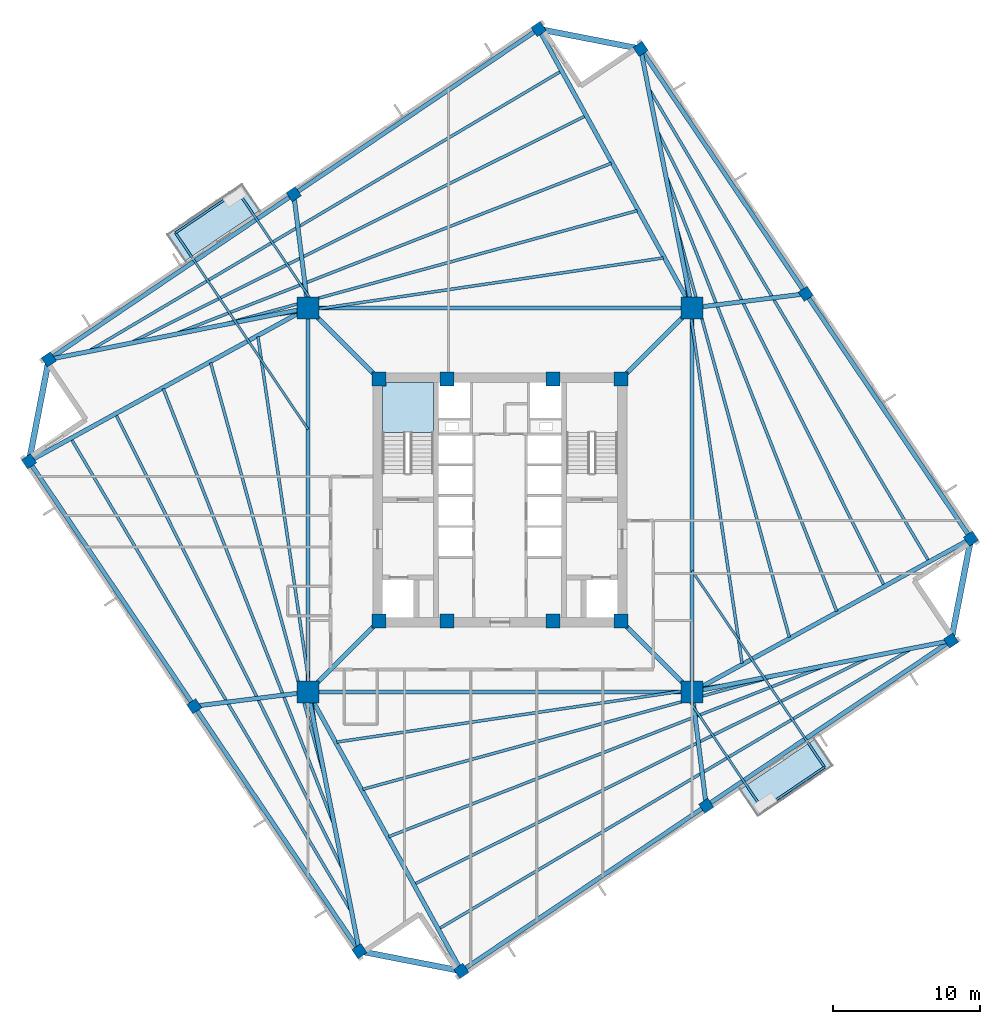
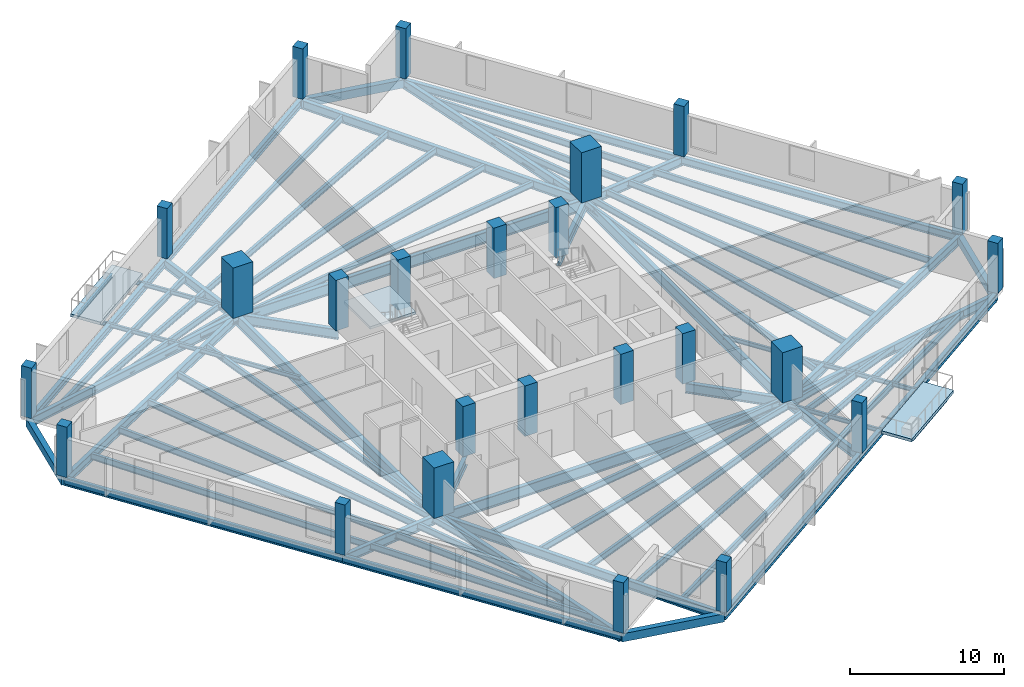
# One storey, part 1 of 9: 58 beams, 24 columns, 3 slabs, 1 element without a shape of its own.
"""IFC4 building model written with IfcOpenShell, lengths in metres."""

from ifc_helpers import new_model, si_unit, direction, frame, origin, origin_2d, place, context, subcontext, project, spatial, polyline, rectangle, i_section, outline, extrude, source, transform, mapped, material, layer, layer_set, material_profile, profile_set, type_object, element, aggregate, save


model = new_model("IFC4")

# Units and contexts
model_context = context("Model", 3, precision=1e-05, world=origin(), true_north=direction((0.0, 1.0)))
body_context = subcontext(model_context, "Body", "Model", "MODEL_VIEW")
ifc_project = project(units=[si_unit("LENGTHUNIT", "METRE"), si_unit("AREAUNIT", "SQUARE_METRE"), si_unit("VOLUMEUNIT", "CUBIC_METRE"), si_unit("PLANEANGLEUNIT", "RADIAN"), si_unit("MASSUNIT", "GRAM", prefix="KILO"), si_unit("THERMODYNAMICTEMPERATUREUNIT", "KELVIN")], contexts=[model_context])

# Site, building, storey
site_placement = place(None, origin())
site = spatial("IfcSite", under=ifc_project, at=site_placement, CompositionType="ELEMENT")
building_placement = place(site_placement, origin())
building = spatial("IfcBuilding", under=site, at=building_placement, Name="Kosmvard Interchange Tower", CompositionType="ELEMENT")
storey_placement = place(building_placement, frame((0.0, 0.0, 160.39990234375)))
storey = spatial("IfcBuildingStorey", under=building, at=storey_placement, Name="L38", CompositionType="ELEMENT", Elevation=160.39990234375)

# Columns
ifc_material_1 = material(Name="Concrete C60/75", Category="concrete")
ifc_material_profile_1 = material_profile(ifc_material_1, rectangle(XDim=0.949951171875, YDim=0.949951171875, at=origin_2d()), Name="CP 950x950")
ifc_profile_set_1 = profile_set([ifc_material_profile_1], Name="Concrete C60/75")
column_type_1 = type_object("IfcColumnType", Name="Core Boundary Pilaster 950x950 C60/75", PredefinedType="PILASTER", material=ifc_profile_set_1)
shared_shape_1 = source(origin(), body_context, "Body", "SweptSolid", [
    extrude(rectangle(XDim=0.949951171875, YDim=0.949951171875, at=origin_2d()), origin(), (0.0, 0.0, 1.0), 4.0),
])
for number, where, z_axis, x_axis, name in (
    (1, (-8.25, -8.25, 0.0), (0.0, 0.0, 1.0), (1.0, 0.0, 0.0), "L38 Core Pilaster CP1"),
    (2, (8.25, -8.25, 0.0), (0.0, 0.0, 1.0), (1.0, 0.0, 0.0), "L38 Core Pilaster CP2"),
    (3, (8.25, 8.25, 0.0), (0.0, 0.0, 1.0), (1.0, 0.0, 0.0), "L38 Core Pilaster CP3"),
    (4, (-8.25, 8.25, 0.0), (0.0, 0.0, 1.0), (1.0, 0.0, 0.0), "L38 Core Pilaster CP4"),
    (5, (-3.60009765625, -8.25, 0.0), (0.0, 0.0, 1.0), (1.0, 0.0, 0.0), "L38 Core Pilaster CP5"),
    (6, (3.60009765625, -8.25, 0.0), (0.0, 0.0, 1.0), (1.0, 0.0, 0.0), "L38 Core Pilaster CP6"),
    (7, (-3.60009765625, 8.25, 0.0), (0.0, 0.0, 1.0), (1.0, 0.0, 0.0), "L38 Core Pilaster CP7"),
    (8, (3.60009765625, 8.25, 0.0), (0.0, 0.0, 1.0), (1.0, 0.0, 0.0), "L38 Core Pilaster CP8"),
):
    element("IfcColumn", number, at=place(storey_placement, frame(where, z_axis=z_axis, x_axis=x_axis)), inside=storey, type_object=column_type_1, Name=name, PredefinedType="PILASTER", context=body_context, shape_type="MappedRepresentation", body=[
        mapped(shared_shape_1, transform((0.0, 0.0, 0.0), scale=1.0)),
    ])
ifc_material_profile_2 = material_profile(ifc_material_1, rectangle(XDim=1.5, YDim=1.5, at=origin_2d()), Name="MC 1500x1500")
ifc_profile_set_2 = profile_set([ifc_material_profile_2], Name="Concrete C60/75")
column_type_2 = type_object("IfcColumnType", Name="Composite Mega-Column 1500x1500 C60/75", PredefinedType="COLUMN", material=ifc_profile_set_2)
shared_shape_2 = source(origin(), body_context, "Body", "SweptSolid", [
    extrude(rectangle(XDim=1.5, YDim=1.5, at=origin_2d()), origin(), (0.0, 0.0, 1.0), 4.0),
])
for number, where, z_axis, x_axis, name in (
    (9, (-13.0810546875, -13.0810546875, 0.0), (0.0, 0.0, 1.0), (1.0, 0.0, 0.0), "L38 Corner Mega-Column MC1"),
    (10, (13.0810546875, -13.0810546875, 0.0), (0.0, 0.0, 1.0), (1.0, 0.0, 0.0), "L38 Corner Mega-Column MC2"),
    (11, (13.0810546875, 13.0810546875, 0.0), (0.0, 0.0, 1.0), (1.0, 0.0, 0.0), "L38 Corner Mega-Column MC3"),
    (12, (-13.0810546875, 13.0810546875, 0.0), (0.0, 0.0, 1.0), (1.0, 0.0, 0.0), "L38 Corner Mega-Column MC4"),
):
    element("IfcColumn", number, at=place(storey_placement, frame(where, z_axis=z_axis, x_axis=x_axis)), inside=storey, type_object=column_type_2, Name=name, PredefinedType="COLUMN", context=body_context, shape_type="MappedRepresentation", body=[
        mapped(shared_shape_2, transform((0.0, 0.0, 0.0), scale=1.0)),
    ])
ifc_material_2 = material(Name="Concrete C50/60", Category="concrete")
ifc_material_profile_3 = material_profile(ifc_material_2, rectangle(XDim=0.75, YDim=0.75, at=origin_2d()), Name="TC 750x750")
ifc_profile_set_3 = profile_set([ifc_material_profile_3], Name="Concrete C50/60")
column_type_3 = type_object("IfcColumnType", Name="Zone 3 Perimeter Pier Column 750x750 C50/60", PredefinedType="COLUMN", material=ifc_profile_set_3)
shared_shape_3 = source(origin(), body_context, "Body", "SweptSolid", [
    extrude(rectangle(XDim=0.75, YDim=0.75, at=origin_2d()), origin(), (0.0, 0.0, 1.0), 4.0),
])
for number, where, z_axis, x_axis, name in (
    (13, (-2.634765625, -32.083251953125, 0.0), (0.0, 0.0, 1.0), (0.829037572555, 0.559192903471, 0.0), "L38 Perimeter Pier Column TC-S1"),
    (14, (14.0498046875, -20.82958984375, 0.0), (0.0, 0.0, 1.0), (0.829037572555, 0.559192903471, 0.0), "L38 Perimeter Pier Column TC-S2"),
    (15, (30.734130859375, -9.575927734375, 0.0), (0.0, 0.0, 1.0), (0.829037572555, 0.559192903471, 0.0), "L38 Perimeter Pier Column TC-S3"),
    (16, (32.083251953125, -2.634765625, 0.0), (0.0, 0.0, 1.0), (0.829037572555, 0.559192903471, 0.0), "L38 Perimeter Pier Column TC-E1"),
    (17, (20.82958984375, 14.0498046875, 0.0), (0.0, 0.0, 1.0), (0.829037572555, 0.559192903471, 0.0), "L38 Perimeter Pier Column TC-E2"),
    (18, (9.575927734375, 30.734130859375, 0.0), (0.0, 0.0, 1.0), (0.829037572555, 0.559192903471, 0.0), "L38 Perimeter Pier Column TC-E3"),
    (19, (2.634765625, 32.083251953125, 0.0), (0.0, 0.0, 1.0), (0.829037572555, 0.559192903471, 0.0), "L38 Perimeter Pier Column TC-N1"),
    (20, (-14.0498046875, 20.82958984375, 0.0), (0.0, 0.0, 1.0), (0.829037572555, 0.559192903471, 0.0), "L38 Perimeter Pier Column TC-N2"),
    (21, (-30.734130859375, 9.575927734375, 0.0), (0.0, 0.0, 1.0), (0.829037572555, 0.559192903471, 0.0), "L38 Perimeter Pier Column TC-N3"),
    (22, (-32.083251953125, 2.634765625, 0.0), (0.0, 0.0, 1.0), (0.829037572555, 0.559192903471, 0.0), "L38 Perimeter Pier Column TC-W1"),
    (23, (-20.82958984375, -14.0498046875, 0.0), (0.0, 0.0, 1.0), (0.829037572555, 0.559192903471, 0.0), "L38 Perimeter Pier Column TC-W2"),
    (24, (-9.575927734375, -30.734130859375, 0.0), (0.0, 0.0, 1.0), (0.829037572555, 0.559192903471, 0.0), "L38 Perimeter Pier Column TC-W3"),
):
    element("IfcColumn", number, at=place(storey_placement, frame(where, z_axis=z_axis, x_axis=x_axis)), inside=storey, type_object=column_type_3, Name=name, PredefinedType="COLUMN", context=body_context, shape_type="MappedRepresentation", body=[
        mapped(shared_shape_3, transform((0.0, 0.0, 0.0), scale=1.0)),
    ])

# Beams
ifc_material_3 = material(Name="Steel S355", Category="steel")
ifc_material_profile_4 = material_profile(ifc_material_3, i_section(OverallWidth=0.14990234375, OverallDepth=0.300048828125, WebThickness=0.007080078125, FlangeThickness=0.0107421875, FilletRadius=0.014892578125, at=origin_2d()), Name="IPE 300")
ifc_profile_set_4 = profile_set([ifc_material_profile_4], Name="Steel S355")
beam_type_1 = type_object("IfcBeamType", Name="Balcony Edge Header Joist IPE 300 S355", PredefinedType="JOIST", material=ifc_profile_set_4)
shared_shape_4 = source(origin(), body_context, "Body", "SweptSolid", [
    extrude(i_section(OverallWidth=0.14990234375, OverallDepth=0.300048828125, WebThickness=0.007080078125, FlangeThickness=0.0107421875, FilletRadius=0.014892578125, at=origin_2d()), origin(), (0.0, 0.0, 1.0), 5.099853515625),
])
for number, where, z_axis, x_axis, name in (
    (25, (-17.87841796875, 21.051513671875, -0.409912109375), (-0.82904064614, -0.559188346666, 0.0), (0.559188346666, -0.82904064614, 0.0), "BM-L38-BJH1"),
    (26, (17.87841796875, -21.051513671875, -0.409912109375), (0.82904064614, 0.559188346666, 0.0), (-0.559188346666, 0.82904064614, 0.0), "BM-L38-BJH2"),
):
    element("IfcBeam", number, at=place(storey_placement, frame(where, z_axis=z_axis, x_axis=x_axis)), inside=storey, type_object=beam_type_1, Name=name, PredefinedType="JOIST", context=body_context, shape_type="MappedRepresentation", body=[
        mapped(shared_shape_4, transform((0.0, 0.0, 0.0), scale=1.0)),
    ])
ifc_material_profile_5 = material_profile(ifc_material_3, i_section(OverallWidth=0.300048828125, OverallDepth=0.800048828125, WebThickness=0.017578125, FlangeThickness=0.032958984375, FilletRadius=0.027099609375, at=origin_2d()), Name="HEB 800")
ifc_profile_set_5 = profile_set([ifc_material_profile_5], Name="Steel S355")
beam_type_2 = type_object("IfcBeamType", Name="Primary Mega-Frame Girder HEB 800 S355", PredefinedType="BEAM", material=ifc_profile_set_5)
shared_shape_5 = source(origin(), body_context, "Body", "SweptSolid", [
    extrude(i_section(OverallWidth=0.300048828125, OverallDepth=0.800048828125, WebThickness=0.017578125, FlangeThickness=0.032958984375, FilletRadius=0.027099609375, at=origin_2d()), origin(), (0.0, 0.0, 1.0), 6.83203125),
])
for number, where, z_axis, x_axis, name in (
    (27, (-8.25, -8.25, -0.659912109375), (-0.707106781187, -0.707106781187, 0.0), (0.707106781187, -0.707106781187, 0.0), "L38 Radial Mega-Frame Girder 1"),
    (28, (8.25, -8.25, -0.659912109375), (0.707106781187, -0.707106781187, 0.0), (0.707106781187, 0.707106781187, 0.0), "L38 Radial Mega-Frame Girder 2"),
    (29, (8.25, 8.25, -0.659912109375), (0.707106781187, 0.707106781187, 0.0), (-0.707106781187, 0.707106781187, 0.0), "L38 Radial Mega-Frame Girder 3"),
    (30, (-8.25, 8.25, -0.659912109375), (-0.707106781187, 0.707106781187, 0.0), (-0.707106781187, -0.707106781187, 0.0), "L38 Radial Mega-Frame Girder 4"),
):
    element("IfcBeam", number, at=place(storey_placement, frame(where, z_axis=z_axis, x_axis=x_axis)), inside=storey, type_object=beam_type_2, Name=name, PredefinedType="BEAM", context=body_context, shape_type="MappedRepresentation", body=[
        mapped(shared_shape_5, transform((0.0, 0.0, 0.0), scale=1.0)),
    ])
ifc_material_profile_6 = material_profile(ifc_material_3, i_section(OverallWidth=0.300048828125, OverallDepth=0.89990234375, WebThickness=0.0185546875, FlangeThickness=0.034912109375, FilletRadius=0.030029296875, at=origin_2d()), Name="HEB 900")
ifc_profile_set_6 = profile_set([ifc_material_profile_6], Name="Steel S355")
beam_type_3 = type_object("IfcBeamType", Name="Mega-Column Ring Girder HEB 900 S355", PredefinedType="BEAM", material=ifc_profile_set_6)
shared_shape_6 = source(origin(), body_context, "Body", "SweptSolid", [
    extrude(i_section(OverallWidth=0.300048828125, OverallDepth=0.89990234375, WebThickness=0.0185546875, FlangeThickness=0.034912109375, FilletRadius=0.030029296875, at=origin_2d()), origin(), (0.0, 0.0, 1.0), 26.162109375),
])
for number, where, z_axis, x_axis, name in (
    (31, (-13.0810546875, -13.0810546875, -0.7099609375), (1.0, 0.0, 0.0), (0.0, 1.0, 0.0), "L38 Mega-Column Ring Girder 1"),
    (32, (13.0810546875, -13.0810546875, -0.7099609375), (0.0, 1.0, 0.0), (-1.0, 0.0, 0.0), "L38 Mega-Column Ring Girder 2"),
    (33, (13.0810546875, 13.0810546875, -0.7099609375), (-1.0, 0.0, 0.0), (0.0, -1.0, 0.0), "L38 Mega-Column Ring Girder 3"),
    (34, (-13.0810546875, 13.0810546875, -0.7099609375), (0.0, -1.0, 0.0), (1.0, 0.0, 0.0), "L38 Mega-Column Ring Girder 4"),
):
    element("IfcBeam", number, at=place(storey_placement, frame(where, z_axis=z_axis, x_axis=x_axis)), inside=storey, type_object=beam_type_3, Name=name, PredefinedType="BEAM", context=body_context, shape_type="MappedRepresentation", body=[
        mapped(shared_shape_6, transform((0.0, 0.0, 0.0), scale=1.0)),
    ])
ifc_material_profile_7 = material_profile(ifc_material_3, i_section(OverallWidth=0.300048828125, OverallDepth=0.60009765625, WebThickness=0.015380859375, FlangeThickness=0.030029296875, FilletRadius=0.027099609375, at=origin_2d()), Name="HEB 600")
ifc_profile_set_7 = profile_set([ifc_material_profile_7], Name="Steel S355")
beam_type_4 = type_object("IfcBeamType", Name="Perimeter Tie Girder HEB 600 S355", PredefinedType="BEAM", material=ifc_profile_set_7)
shared_shape_7 = source(origin(), body_context, "Body", "SweptSolid", [
    extrude(i_section(OverallWidth=0.300048828125, OverallDepth=0.60009765625, WebThickness=0.015380859375, FlangeThickness=0.030029296875, FilletRadius=0.027099609375, at=origin_2d()), origin(), (0.0, 0.0, 1.0), 20.125),
])
for number, where, z_axis, x_axis, name in (
    (35, (-2.634765625, -32.083251953125, -0.559814453125), (0.82904270175, 0.559185299051, 0.0), (-0.559185299051, 0.82904270175, 0.0), "BM-L38-PR01"),
    (36, (14.0498046875, -20.82958984375, -0.559814453125), (0.829038908426, 0.559190922956, 0.0), (-0.559190922956, 0.829038908426, 0.0), "BM-L38-PR02"),
    (37, (32.083251953125, -2.634765625, -0.559814453125), (-0.559185299051, 0.82904270175, 0.0), (-0.82904270175, -0.559185299051, 0.0), "BM-L38-PR04"),
    (38, (20.82958984375, 14.0498046875, -0.559814453125), (-0.559190922956, 0.829038908426, 0.0), (-0.829038908426, -0.559190922956, 0.0), "BM-L38-PR05"),
    (39, (2.634765625, 32.083251953125, -0.559814453125), (-0.82904270175, -0.559185299051, 0.0), (0.559185299051, -0.82904270175, 0.0), "BM-L38-PR07"),
    (40, (-14.0498046875, 20.82958984375, -0.559814453125), (-0.829038908426, -0.559190922956, 0.0), (0.559190922956, -0.829038908426, 0.0), "BM-L38-PR08"),
    (41, (-32.083251953125, 2.634765625, -0.559814453125), (0.559185299051, -0.82904270175, 0.0), (0.82904270175, 0.559185299051, 0.0), "BM-L38-PR10"),
    (42, (-20.82958984375, -14.0498046875, -0.559814453125), (0.559190922956, -0.829038908426, 0.0), (0.829038908426, 0.559190922956, 0.0), "BM-L38-PR11"),
):
    element("IfcBeam", number, at=place(storey_placement, frame(where, z_axis=z_axis, x_axis=x_axis)), inside=storey, type_object=beam_type_4, Name=name, PredefinedType="BEAM", context=body_context, shape_type="MappedRepresentation", body=[
        mapped(shared_shape_7, transform((0.0, 0.0, 0.0), scale=1.0)),
    ])
ifc_material_profile_8 = material_profile(ifc_material_3, i_section(OverallWidth=0.300048828125, OverallDepth=0.699951171875, WebThickness=0.01708984375, FlangeThickness=0.031982421875, FilletRadius=0.027099609375, at=origin_2d()), Name="HEB 700")
ifc_profile_set_8 = profile_set([ifc_material_profile_8], Name="Steel S355")
beam_type_5 = type_object("IfcBeamType", Name="Primary Floor Girder HEB 700 S355", PredefinedType="BEAM", material=ifc_profile_set_8)
shared_shape_8 = source(origin(), body_context, "Body", "SweptSolid", [
    extrude(i_section(OverallWidth=0.300048828125, OverallDepth=0.699951171875, WebThickness=0.01708984375, FlangeThickness=0.031982421875, FilletRadius=0.027099609375, at=origin_2d()), origin(), (0.0, 0.0, 1.0), 21.684326171875),
])
for number, where, z_axis, x_axis, name in (
    (43, (-13.0810546875, -13.0810546875, -0.60986328125), (0.48174456271, -0.876311689012, 0.0), (0.876311689012, 0.48174456271, 0.0), "BM-L38-RD01"),
    (44, (13.0810546875, -13.0810546875, -0.60986328125), (0.876311689012, 0.48174456271, 0.0), (-0.48174456271, 0.876311689012, 0.0), "BM-L38-RD04"),
    (45, (13.0810546875, 13.0810546875, -0.60986328125), (-0.48174456271, 0.876311689012, 0.0), (-0.876311689012, -0.48174456271, 0.0), "BM-L38-RD07"),
    (46, (-13.0810546875, 13.0810546875, -0.60986328125), (-0.876311689012, -0.48174456271, 0.0), (0.48174456271, -0.876311689012, 0.0), "BM-L38-RD10"),
):
    element("IfcBeam", number, at=place(storey_placement, frame(where, z_axis=z_axis, x_axis=x_axis)), inside=storey, type_object=beam_type_5, Name=name, PredefinedType="BEAM", context=body_context, shape_type="MappedRepresentation", body=[
        mapped(shared_shape_8, transform((0.0, 0.0, 0.0), scale=1.0)),
    ])
shared_shape_9 = source(origin(), body_context, "Body", "SweptSolid", [
    extrude(i_section(OverallWidth=0.300048828125, OverallDepth=0.699951171875, WebThickness=0.01708984375, FlangeThickness=0.031982421875, FilletRadius=0.027099609375, at=origin_2d()), origin(), (0.0, 0.0, 1.0), 7.808837890625),
])
for number, where, z_axis, x_axis, name in (
    (47, (13.0810546875, -13.0810546875, -0.60986328125), (0.12405782224, -0.992274990485, 0.0), (0.992274990485, 0.12405782224, 0.0), "BM-L38-RD02"),
    (48, (13.0810546875, 13.0810546875, -0.60986328125), (0.992274990485, 0.12405782224, 0.0), (-0.12405782224, 0.992274990485, 0.0), "BM-L38-RD05"),
    (49, (-13.0810546875, 13.0810546875, -0.60986328125), (-0.12405782224, 0.992274990485, 0.0), (-0.992274990485, -0.12405782224, 0.0), "BM-L38-RD08"),
    (50, (-13.0810546875, -13.0810546875, -0.60986328125), (-0.992274990485, -0.12405782224, 0.0), (0.12405782224, -0.992274990485, 0.0), "BM-L38-RD11"),
):
    element("IfcBeam", number, at=place(storey_placement, frame(where, z_axis=z_axis, x_axis=x_axis)), inside=storey, type_object=beam_type_5, Name=name, PredefinedType="BEAM", context=body_context, shape_type="MappedRepresentation", body=[
        mapped(shared_shape_9, transform((0.0, 0.0, 0.0), scale=1.0)),
    ])
ifc_material_4 = material(Name="Precast concrete C45/55", Category="concrete")
ifc_material_profile_9 = material_profile(ifc_material_4, rectangle(XDim=0.39990234375, YDim=0.64990234375, at=origin_2d()), Name="SL 400x650")
ifc_profile_set_9 = profile_set([ifc_material_profile_9], Name="Precast concrete C45/55")
beam_type_6 = type_object("IfcBeamType", Name="Precast Spandrel Lintel 400x650 C45/55", PredefinedType="LINTEL", material=ifc_profile_set_9)
shared_shape_10 = source(origin(), body_context, "Body", "SweptSolid", [
    extrude(rectangle(XDim=0.39990234375, YDim=0.64990234375, at=origin_2d()), origin(), (0.0, 0.0, 1.0), 7.071044921875),
])
for number, where, z_axis, x_axis, name in (
    (51, (30.734130859375, -9.575927734375, -0.5849609375), (0.190794803533, 0.981629941956, 0.0), (-0.981629941956, 0.190794803533, 0.0), "BM-L38-SL1"),
    (52, (9.575927734375, 30.734130859375, -0.5849609375), (-0.981629941956, 0.190794803533, 0.0), (-0.190794803533, -0.981629941956, 0.0), "BM-L38-SL2"),
    (53, (-30.734130859375, 9.575927734375, -0.5849609375), (-0.190794803533, -0.981629941956, 0.0), (0.981629941956, -0.190794803533, 0.0), "BM-L38-SL3"),
    (54, (-9.575927734375, -30.734130859375, -0.5849609375), (0.981629941956, -0.190794803533, 0.0), (0.190794803533, 0.981629941956, 0.0), "BM-L38-SL4"),
):
    element("IfcBeam", number, at=place(storey_placement, frame(where, z_axis=z_axis, x_axis=x_axis)), inside=storey, type_object=beam_type_6, Name=name, PredefinedType="LINTEL", context=body_context, shape_type="MappedRepresentation", body=[
        mapped(shared_shape_10, transform((0.0, 0.0, 0.0), scale=1.0)),
    ])
shared_shape_11 = source(origin(), body_context, "Body", "SweptSolid", [
    extrude(i_section(OverallWidth=0.300048828125, OverallDepth=0.699951171875, WebThickness=0.01708984375, FlangeThickness=0.031982421875, FilletRadius=0.027099609375, at=origin_2d()), origin(), (0.0, 0.0, 1.0), 17.997802734375),
])
for number, where, z_axis, x_axis, name in (
    (55, (13.0810546875, -13.0810546875, -0.60986328125), (0.980852075755, 0.194754218148, 0.0), (-0.194754218148, 0.980852075755, 0.0), "BM-L38-RD03"),
    (56, (13.0810546875, 13.0810546875, -0.60986328125), (-0.194754218148, 0.980852075755, 0.0), (-0.980852075755, -0.194754218148, 0.0), "BM-L38-RD06"),
    (57, (-13.0810546875, 13.0810546875, -0.60986328125), (-0.980852075755, -0.194754218148, 0.0), (0.194754218148, -0.980852075755, 0.0), "BM-L38-RD09"),
    (58, (-13.0810546875, -13.0810546875, -0.60986328125), (0.194754218148, -0.980852075755, 0.0), (0.980852075755, 0.194754218148, 0.0), "BM-L38-RD12"),
):
    element("IfcBeam", number, at=place(storey_placement, frame(where, z_axis=z_axis, x_axis=x_axis)), inside=storey, type_object=beam_type_5, Name=name, PredefinedType="BEAM", context=body_context, shape_type="MappedRepresentation", body=[
        mapped(shared_shape_11, transform((0.0, 0.0, 0.0), scale=1.0)),
    ])
ifc_material_profile_10 = material_profile(ifc_material_3, i_section(OverallWidth=0.199951171875, OverallDepth=0.5, WebThickness=0.01025390625, FlangeThickness=0.01611328125, FilletRadius=0.02099609375, at=origin_2d()), Name="IPE 500")
ifc_profile_set_10 = profile_set([ifc_material_profile_10], Name="Steel S355")
beam_type_7 = type_object("IfcBeamType", Name="Standard Floor Joist IPE 500 S355", PredefinedType="JOIST", material=ifc_profile_set_10)
shared_shape_12 = source(origin(), body_context, "Body", "SweptSolid", [
    extrude(i_section(OverallWidth=0.199951171875, OverallDepth=0.5, WebThickness=0.01025390625, FlangeThickness=0.01611328125, FilletRadius=0.02099609375, at=origin_2d()), origin(), (0.0, 0.0, 1.0), 27.5966796875),
])
for number, where, z_axis, x_axis, name in (
    (59, (-11.12158203125, -16.48974609375, -0.510009765625), (0.989290070387, 0.145962860463, 0.0), (-0.145962860463, 0.989290070387, 0.0), "BM-L38-FJ01"),
    (60, (16.48974609375, -11.12158203125, -0.510009765625), (-0.145962860463, 0.989290070387, 0.0), (-0.989290070387, -0.145962860463, 0.0), "BM-L38-FJ06"),
    (61, (11.12158203125, 16.48974609375, -0.510009765625), (-0.989290070387, -0.145962860463, 0.0), (0.145962860463, -0.989290070387, 0.0), "BM-L38-FJ11"),
    (62, (-16.48974609375, 11.12158203125, -0.510009765625), (0.145962860463, -0.989290070387, 0.0), (0.989290070387, 0.145962860463, 0.0), "BM-L38-FJ16"),
):
    element("IfcBeam", number, at=place(storey_placement, frame(where, z_axis=z_axis, x_axis=x_axis)), inside=storey, type_object=beam_type_7, Name=name, PredefinedType="JOIST", context=body_context, shape_type="MappedRepresentation", body=[
        mapped(shared_shape_12, transform((0.0, 0.0, 0.0), scale=1.0)),
    ])
shared_shape_13 = source(origin(), body_context, "Body", "SweptSolid", [
    extrude(i_section(OverallWidth=0.199951171875, OverallDepth=0.5, WebThickness=0.01025390625, FlangeThickness=0.01611328125, FilletRadius=0.02099609375, at=origin_2d()), origin(), (0.0, 0.0, 1.0), 29.58642578125),
])
for number, where, z_axis, x_axis, name in (
    (63, (-9.34765625, -19.710693359375, -0.510009765625), (0.964296527467, 0.264824861209, 0.0), (-0.264824861209, 0.964296527467, 0.0), "BM-L38-FJ02"),
    (64, (19.710693359375, -9.34765625, -0.510009765625), (-0.264824861209, 0.964296527467, 0.0), (-0.964296527467, -0.264824861209, 0.0), "BM-L38-FJ07"),
    (65, (9.34765625, 19.710693359375, -0.510009765625), (-0.964296527467, -0.264824861209, 0.0), (0.264824861209, -0.964296527467, 0.0), "BM-L38-FJ12"),
    (66, (-19.710693359375, 9.34765625, -0.510009765625), (0.264824861209, -0.964296527467, 0.0), (0.964296527467, 0.264824861209, 0.0), "BM-L38-FJ17"),
):
    element("IfcBeam", number, at=place(storey_placement, frame(where, z_axis=z_axis, x_axis=x_axis)), inside=storey, type_object=beam_type_7, Name=name, PredefinedType="JOIST", context=body_context, shape_type="MappedRepresentation", body=[
        mapped(shared_shape_13, transform((0.0, 0.0, 0.0), scale=1.0)),
    ])
shared_shape_14 = source(origin(), body_context, "Body", "SweptSolid", [
    extrude(i_section(OverallWidth=0.199951171875, OverallDepth=0.5, WebThickness=0.01025390625, FlangeThickness=0.01611328125, FilletRadius=0.02099609375, at=origin_2d()), origin(), (0.0, 0.0, 1.0), 31.9580078125),
])
for number, where, z_axis, x_axis, name in (
    (67, (-7.574462890625, -22.93310546875, -0.510009765625), (0.931239172846, 0.364408565976, 0.0), (-0.364408565976, 0.931239172846, 0.0), "BM-L38-FJ03"),
    (68, (22.93310546875, -7.574462890625, -0.510009765625), (-0.364408565976, 0.931239172846, 0.0), (-0.931239172846, -0.364408565976, 0.0), "BM-L38-FJ08"),
    (69, (7.574462890625, 22.93310546875, -0.510009765625), (-0.931239172846, -0.364408565976, 0.0), (0.364408565976, -0.931239172846, 0.0), "BM-L38-FJ13"),
    (70, (-22.93310546875, 7.574462890625, -0.510009765625), (0.364408565976, -0.931239172846, 0.0), (0.931239172846, 0.364408565976, 0.0), "BM-L38-FJ18"),
):
    element("IfcBeam", number, at=place(storey_placement, frame(where, z_axis=z_axis, x_axis=x_axis)), inside=storey, type_object=beam_type_7, Name=name, PredefinedType="JOIST", context=body_context, shape_type="MappedRepresentation", body=[
        mapped(shared_shape_14, transform((0.0, 0.0, 0.0), scale=1.0)),
    ])
shared_shape_15 = source(origin(), body_context, "Body", "SweptSolid", [
    extrude(i_section(OverallWidth=0.199951171875, OverallDepth=0.5, WebThickness=0.01025390625, FlangeThickness=0.01611328125, FilletRadius=0.02099609375, at=origin_2d()), origin(), (0.0, 0.0, 1.0), 34.633056640625),
])
for number, where, z_axis, x_axis, name in (
    (71, (-5.801513671875, -26.156982421875, -0.510009765625), (0.894853974707, 0.446359007921, 0.0), (-0.446359007921, 0.894853974707, 0.0), "BM-L38-FJ04"),
    (72, (26.156982421875, -5.801513671875, -0.510009765625), (-0.446359007921, 0.894853974707, 0.0), (-0.894853974707, -0.446359007921, 0.0), "BM-L38-FJ09"),
    (73, (5.801513671875, 26.156982421875, -0.510009765625), (-0.894853974707, -0.446359007921, 0.0), (0.446359007921, -0.894853974707, 0.0), "BM-L38-FJ14"),
    (74, (-26.156982421875, 5.801513671875, -0.510009765625), (0.446359007921, -0.894853974707, 0.0), (0.894853974707, 0.446359007921, 0.0), "BM-L38-FJ19"),
):
    element("IfcBeam", number, at=place(storey_placement, frame(where, z_axis=z_axis, x_axis=x_axis)), inside=storey, type_object=beam_type_7, Name=name, PredefinedType="JOIST", context=body_context, shape_type="MappedRepresentation", body=[
        mapped(shared_shape_15, transform((0.0, 0.0, 0.0), scale=1.0)),
    ])
shared_shape_16 = source(origin(), body_context, "Body", "SweptSolid", [
    extrude(i_section(OverallWidth=0.199951171875, OverallDepth=0.5, WebThickness=0.01025390625, FlangeThickness=0.01611328125, FilletRadius=0.02099609375, at=origin_2d()), origin(), (0.0, 0.0, 1.0), 37.3701171875),
])
for number, where, z_axis, x_axis, name in (
    (75, (-4.1328125, -29.192138671875, -0.510009765625), (0.860316577026, 0.509760127212, 0.0), (-0.509760127212, 0.860316577026, 0.0), "BM-L38-FJ05"),
    (76, (29.192138671875, -4.1328125, -0.510009765625), (-0.509760127212, 0.860316577026, 0.0), (-0.860316577026, -0.509760127212, 0.0), "BM-L38-FJ10"),
    (77, (4.1328125, 29.192138671875, -0.510009765625), (-0.860316577026, -0.509760127212, 0.0), (0.509760127212, -0.860316577026, 0.0), "BM-L38-FJ15"),
    (78, (-29.192138671875, 4.1328125, -0.510009765625), (0.509760127212, -0.860316577026, 0.0), (0.860316577026, 0.509760127212, 0.0), "BM-L38-FJ20"),
):
    element("IfcBeam", number, at=place(storey_placement, frame(where, z_axis=z_axis, x_axis=x_axis)), inside=storey, type_object=beam_type_7, Name=name, PredefinedType="JOIST", context=body_context, shape_type="MappedRepresentation", body=[
        mapped(shared_shape_16, transform((0.0, 0.0, 0.0), scale=1.0)),
    ])
ifc_material_profile_11 = material_profile(ifc_material_3, i_section(OverallWidth=0.159912109375, OverallDepth=0.330078125, WebThickness=0.007568359375, FlangeThickness=0.011474609375, FilletRadius=0.01806640625, at=origin_2d()), Name="IPE 330")
ifc_profile_set_11 = profile_set([ifc_material_profile_11], Name="Steel S355")
beam_type_8 = type_object("IfcBeamType", Name="Balcony Cantilever Joist IPE 330 S355", PredefinedType="JOIST", material=ifc_profile_set_11)
shared_shape_17 = source(origin(), body_context, "Body", "SweptSolid", [
    extrude(i_section(OverallWidth=0.159912109375, OverallDepth=0.330078125, WebThickness=0.007568359375, FlangeThickness=0.011474609375, FilletRadius=0.01806640625, at=origin_2d()), origin(), (0.0, 0.0, 1.0), 9.6142578125),
])
for number, where, z_axis, x_axis, name in (
    (79, (-12.502197265625, 13.0810546875, -0.4248046875), (-0.559198496377, 0.829033800065, 0.0), (-0.829033800065, -0.559198496377, 0.0), "BM-L38-BJ1"),
    (80, (12.502197265625, -13.0810546875, -0.4248046875), (0.559198496377, -0.829033800065, 0.0), (0.829033800065, 0.559198496377, 0.0), "BM-L38-BJ2"),
):
    element("IfcBeam", number, at=place(storey_placement, frame(where, z_axis=z_axis, x_axis=x_axis)), inside=storey, type_object=beam_type_8, Name=name, PredefinedType="JOIST", context=body_context, shape_type="MappedRepresentation", body=[
        mapped(shared_shape_17, transform((0.0, 0.0, 0.0), scale=1.0)),
    ])
shared_shape_18 = source(origin(), body_context, "Body", "SweptSolid", [
    extrude(i_section(OverallWidth=0.159912109375, OverallDepth=0.330078125, WebThickness=0.007568359375, FlangeThickness=0.011474609375, FilletRadius=0.01806640625, at=origin_2d()), origin(), (0.0, 0.0, 1.0), 16.14013671875),
])
for number, where, z_axis, x_axis, name in (
    (81, (-13.0810546875, 4.81884765625, -0.4248046875), (-0.559188092129, 0.829040817826, 0.0), (-0.829040817826, -0.559188092129, 0.0), "BM-L38-BJB1"),
    (82, (13.0810546875, -4.81884765625, -0.4248046875), (0.559188092129, -0.829040817826, 0.0), (0.829040817826, 0.559188092129, 0.0), "BM-L38-BJB2"),
):
    element("IfcBeam", number, at=place(storey_placement, frame(where, z_axis=z_axis, x_axis=x_axis)), inside=storey, type_object=beam_type_8, Name=name, PredefinedType="JOIST", context=body_context, shape_type="MappedRepresentation", body=[
        mapped(shared_shape_18, transform((0.0, 0.0, 0.0), scale=1.0)),
    ])

# Stair, slab
stair_type = type_object("IfcStairType", Name="Dog-Leg Core Exit Stair H4000 C50/60", PredefinedType="HALF_TURN_STAIR", material=ifc_material_2)
stair_placement = place(storey_placement, origin())
stair = element("IfcStair", 83, at=stair_placement, inside=storey, type_object=stair_type, Name="L38 Protected Exit Stair ST-1", PredefinedType="HALF_TURN_STAIR")
ifc_layer_1 = layer(ifc_material_2, 0.199951171875, Name="Concrete C50/60")
ifc_layer_set_1 = layer_set([ifc_layer_1], Name="Concrete C50/60")
slab_type_1 = type_object("IfcSlabType", Name="Stair Half-Landing Slab 200 C50/60", PredefinedType="LANDING", material=ifc_layer_set_1)
slab_1_placement = place(storey_placement, frame((0.0, 0.0, 1.800048828125)))
slab_1 = element("IfcSlab", 84, at=slab_1_placement, type_object=slab_type_1, Name="ST-1 landing 1", PredefinedType="LANDING", context=body_context, shape_type="SweptSolid", body=[
    extrude(outline(polyline([(-4.5400390625, 4.60009765625), (-4.5400390625, 8.0), (-8.0, 8.0), (-8.0, 4.60009765625), (-4.5400390625, 4.60009765625)])), origin(), (0.0, 0.0, 1.0), 0.199951171875),
])
aggregate(stair, [slab_1])

# Slabs
ifc_layer_2 = layer(ifc_material_2, 0.22998046875, Name="Concrete C50/60")
ifc_layer_set_2 = layer_set([ifc_layer_2], Name="Concrete C50/60")
slab_type_2 = type_object("IfcSlabType", Name="Tree-Planter Cantilever Balcony Slab 230 C50/60", PredefinedType="FLOOR", material=ifc_layer_set_2)
slab_2_placement = place(storey_placement, frame((0.0, 0.0, -0.22998046875)))
element("IfcSlab", 85, at=slab_2_placement, inside=storey, type_object=slab_type_2, Name="L38 Outdoor Terrace Balcony Slab BAL-L38-NE", PredefinedType="FLOOR", context=body_context, shape_type="SweptSolid", body=[
    extrude(outline(polyline([(-21.47216796875, 16.275390625), (-16.33203125, 19.742431640625), (-17.562255859375, 21.56640625), (-22.702392578125, 18.099365234375), (-21.47216796875, 16.275390625)])), origin(), (0.0, 0.0, 1.0), 0.22998046875),
])
slab_3_placement = place(storey_placement, frame((0.0, 0.0, -0.22998046875)))
element("IfcSlab", 86, at=slab_3_placement, inside=storey, type_object=slab_type_2, Name="L38 Outdoor Terrace Balcony Slab BAL-L38-SW", PredefinedType="FLOOR", context=body_context, shape_type="SweptSolid", body=[
    extrude(outline(polyline([(17.562255859375, -21.56640625), (22.702392578125, -18.099365234375), (21.47216796875, -16.275390625), (16.33203125, -19.742431640625), (17.562255859375, -21.56640625)])), origin(), (0.0, 0.0, 1.0), 0.22998046875),
])

save(model, "model.ifc")
